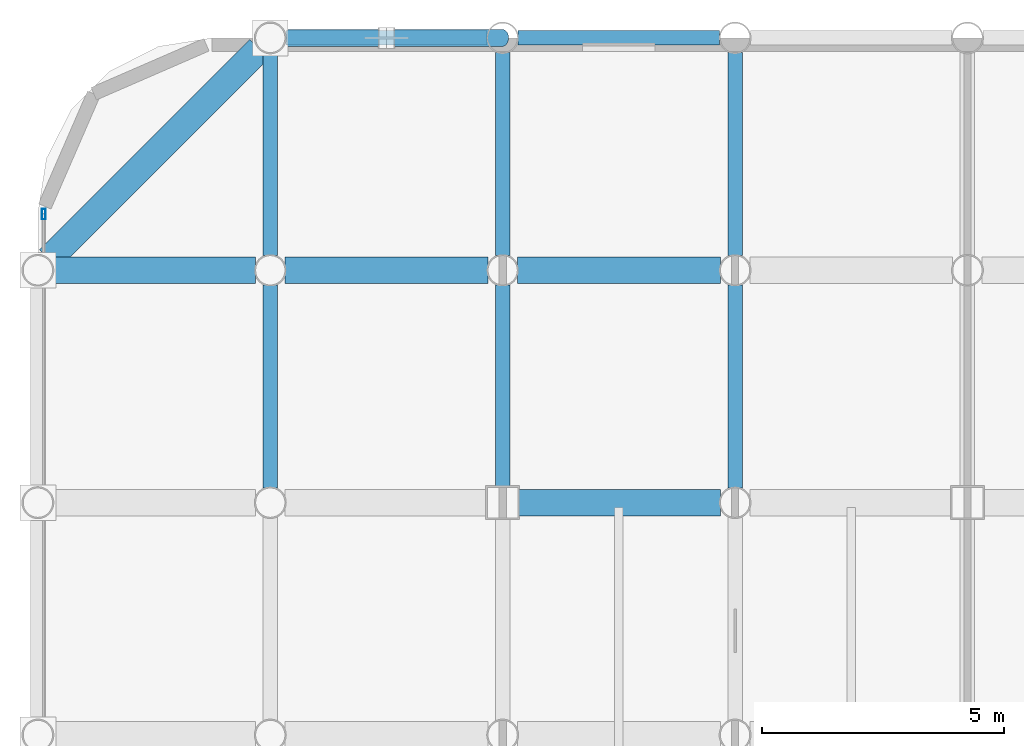
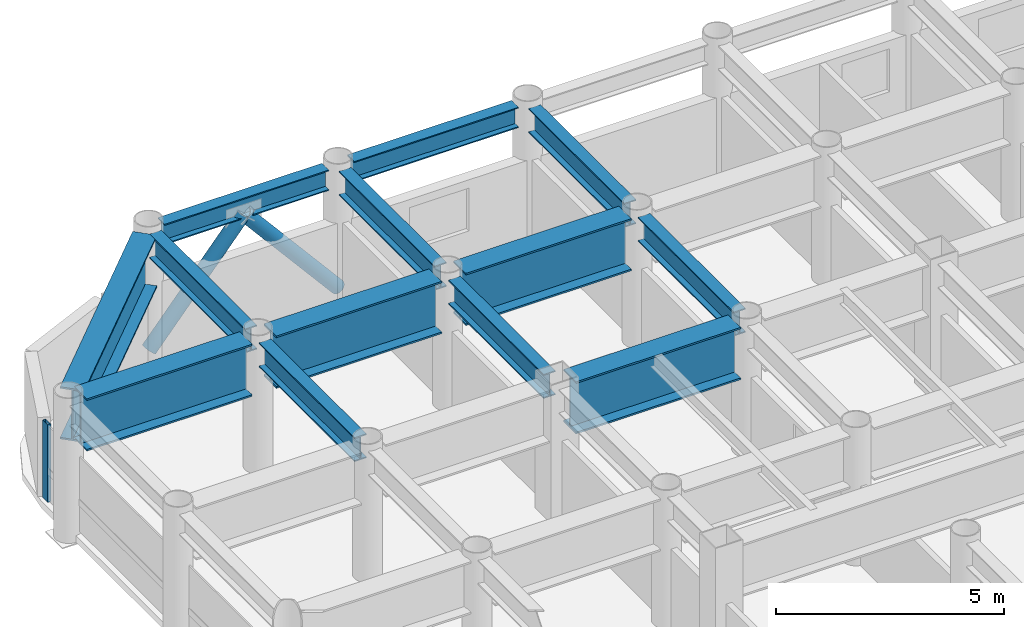
# One storey, part 10 of 23: 13 beams, 3 members, 1 element without a shape of its own.
"""IFC4 building model written with IfcOpenShell, lengths in metres."""

from ifc_helpers import new_model, si_unit, direction, frame, origin, origin_2d, place, context, subcontext, project, spatial, hollow_rectangle, hollow_circle, i_section, extrude, material, layer, layer_set, material_profile, profile_set, type_object, element, aggregate, save


model = new_model("IFC4")

# Units and contexts
model_context = context("Model", 3, precision=1e-05, world=origin(), true_north=direction((0.0, 1.0)))
body_context = subcontext(model_context, "Body", "Model", "MODEL_VIEW")
ifc_project = project(units=[si_unit("LENGTHUNIT", "METRE"), si_unit("AREAUNIT", "SQUARE_METRE"), si_unit("VOLUMEUNIT", "CUBIC_METRE"), si_unit("PLANEANGLEUNIT", "RADIAN"), si_unit("MASSUNIT", "GRAM", prefix="KILO")], contexts=[model_context])

# Site, building, storey
site_placement = place(None, origin())
site = spatial("IfcSite", under=ifc_project, at=site_placement, CompositionType="ELEMENT")
building_placement = place(site_placement, origin())
building = spatial("IfcBuilding", under=site, at=building_placement, Name="Kallvorn Hotel Tower", CompositionType="ELEMENT")
storey_placement = place(building_placement, frame((0.0, 0.0, 124.800048828125)))
storey = spatial("IfcBuildingStorey", under=building, at=storey_placement, Name="L30", CompositionType="ELEMENT", Elevation=124.800048828125)

# Beams
ifc_material_1 = material(Name="Structural steel S355JR", Category="steel")
ifc_material_profile_1 = material_profile(ifc_material_1, i_section(OverallWidth=0.300048828125, OverallDepth=0.550048828125, WebThickness=0.014892578125, FlangeThickness=0.029052734375, at=origin_2d()), Name="HE 550 B")
ifc_profile_set_1 = profile_set([ifc_material_profile_1], Name="Structural steel S355JR")
beam_type_1 = type_object("IfcBeamType", Name="BM_HE550B", PredefinedType="SPANDREL", material=ifc_profile_set_1)
for number, where, z_axis, x_axis, name in (
    (1, (-28.47998046875, 24.0, 3.244873046875), (1.0, 0.0, 0.0), (0.0, 1.0, 0.0), "L31 Perimeter Spandrel 163"),
    (2, (-23.679931640625, 24.0, 3.244873046875), (1.0, 0.0, 0.0), (0.0, 1.0, 0.0), "L31 Perimeter Spandrel 164"),
):
    element("IfcBeam", number, at=place(storey_placement, frame(where, z_axis=z_axis, x_axis=x_axis)), inside=storey, type_object=beam_type_1, Name=name, PredefinedType="SPANDREL", context=body_context, shape_type="SweptSolid", body=[
        extrude(i_section(OverallWidth=0.300048828125, OverallDepth=0.550048828125, WebThickness=0.014892578125, FlangeThickness=0.029052734375, at=origin_2d()), origin(), (0.0, 0.0, 1.0), 4.159912109375),
    ])
ifc_material_2 = material(Name="Structural steel S355JR", Category="steel")
ifc_material_profile_2 = material_profile(ifc_material_2, i_section(OverallWidth=0.300048828125, OverallDepth=0.64990234375, WebThickness=0.01611328125, FlangeThickness=0.031005859375, at=origin_2d()), Name="HE 650 B")
ifc_profile_set_2 = profile_set([ifc_material_profile_2], Name="Structural steel S355JR")
beam_type_2 = type_object("IfcBeamType", Name="BM_HE650B", PredefinedType="BEAM", material=ifc_profile_set_2)
beam_1_placement = place(storey_placement, frame((-28.800048828125, 14.705078125, 3.195068359375), z_axis=(0.0, 1.0, 0.0), x_axis=(-1.0, 0.0, 0.0)))
element("IfcBeam", 3, at=beam_1_placement, inside=storey, type_object=beam_type_2, Name="L31 Primary Y-Girder 80", PredefinedType="BEAM", context=body_context, shape_type="SweptSolid", body=[
    extrude(i_section(OverallWidth=0.300048828125, OverallDepth=0.64990234375, WebThickness=0.01611328125, FlangeThickness=0.031005859375, at=origin_2d()), origin(), (0.0, 0.0, 1.0), 4.18994140625),
])
beam_2_placement = place(storey_placement, frame((-28.800048828125, 19.5048828125, 3.195068359375), z_axis=(0.0, 1.0, 0.0), x_axis=(-1.0, 0.0, 0.0)))
element("IfcBeam", 4, at=beam_2_placement, inside=storey, type_object=beam_type_2, Name="L31 Primary Y-Girder 81", PredefinedType="BEAM", context=body_context, shape_type="SweptSolid", body=[
    extrude(i_section(OverallWidth=0.300048828125, OverallDepth=0.64990234375, WebThickness=0.01611328125, FlangeThickness=0.031005859375, at=origin_2d()), origin(), (0.0, 0.0, 1.0), 4.190185546875),
])
beam_3_placement = place(storey_placement, frame((-24.0, 14.72509765625, 3.195068359375), z_axis=(0.0, 1.0, 0.0), x_axis=(-1.0, 0.0, 0.0)))
element("IfcBeam", 5, at=beam_3_placement, inside=storey, type_object=beam_type_2, Name="L31 Primary Y-Girder 87", PredefinedType="BEAM", context=body_context, shape_type="SweptSolid", body=[
    extrude(i_section(OverallWidth=0.300048828125, OverallDepth=0.64990234375, WebThickness=0.01611328125, FlangeThickness=0.031005859375, at=origin_2d()), origin(), (0.0, 0.0, 1.0), 4.169921875),
])
beam_4_placement = place(storey_placement, frame((-24.0, 19.5048828125, 3.195068359375), z_axis=(0.0, 1.0, 0.0), x_axis=(-1.0, 0.0, 0.0)))
element("IfcBeam", 6, at=beam_4_placement, inside=storey, type_object=beam_type_2, Name="L31 Primary Y-Girder 88", PredefinedType="BEAM", context=body_context, shape_type="SweptSolid", body=[
    extrude(i_section(OverallWidth=0.300048828125, OverallDepth=0.64990234375, WebThickness=0.01611328125, FlangeThickness=0.031005859375, at=origin_2d()), origin(), (0.0, 0.0, 1.0), 4.190185546875),
])
beam_5_placement = place(storey_placement, frame((-19.199951171875, 14.705078125, 3.195068359375), z_axis=(0.0, 1.0, 0.0), x_axis=(-1.0, 0.0, 0.0)))
element("IfcBeam", 7, at=beam_5_placement, inside=storey, type_object=beam_type_2, Name="L31 Primary Y-Girder 96", PredefinedType="BEAM", context=body_context, shape_type="SweptSolid", body=[
    extrude(i_section(OverallWidth=0.300048828125, OverallDepth=0.64990234375, WebThickness=0.01611328125, FlangeThickness=0.031005859375, at=origin_2d()), origin(), (0.0, 0.0, 1.0), 4.18994140625),
])
beam_6_placement = place(storey_placement, frame((-19.199951171875, 19.5048828125, 3.195068359375), z_axis=(0.0, 1.0, 0.0), x_axis=(-1.0, 0.0, 0.0)))
element("IfcBeam", 8, at=beam_6_placement, inside=storey, type_object=beam_type_2, Name="L31 Primary Y-Girder 97", PredefinedType="BEAM", context=body_context, shape_type="SweptSolid", body=[
    extrude(i_section(OverallWidth=0.300048828125, OverallDepth=0.64990234375, WebThickness=0.01611328125, FlangeThickness=0.031005859375, at=origin_2d()), origin(), (0.0, 0.0, 1.0), 4.190185546875),
])
ifc_material_3 = material(Name="Structural steel S355JR", Category="steel")
ifc_material_profile_3 = material_profile(ifc_material_3, i_section(OverallWidth=0.550048828125, OverallDepth=1.39990234375, WebThickness=0.02490234375, FlangeThickness=0.044921875, at=origin_2d()), Name="PG 1400x550x25x45")
ifc_profile_set_3 = profile_set([ifc_material_profile_3], Name="Structural steel S355JR")
beam_type_3 = type_object("IfcBeamType", Name="BM_PG_1400", PredefinedType="BEAM", material=ifc_profile_set_3)
beam_7_placement = place(storey_placement, frame((-23.675048828125, 14.39990234375, 2.820068359375), z_axis=(1.0, 0.0, 0.0), x_axis=(0.0, 1.0, 0.0)))
element("IfcBeam", 9, at=beam_7_placement, inside=storey, type_object=beam_type_3, Name="L31 Primary X-Girder 52", PredefinedType="BEAM", context=body_context, shape_type="SweptSolid", body=[
    extrude(i_section(OverallWidth=0.550048828125, OverallDepth=1.39990234375, WebThickness=0.02490234375, FlangeThickness=0.044921875, at=origin_2d()), origin(), (0.0, 0.0, 1.0), 4.170166015625),
])
beam_8_placement = place(storey_placement, frame((-33.294921875, 19.199951171875, 2.820068359375), z_axis=(1.0, 0.0, 0.0), x_axis=(0.0, 1.0, 0.0)))
element("IfcBeam", 10, at=beam_8_placement, inside=storey, type_object=beam_type_3, Name="L31 Primary X-Girder 60", PredefinedType="BEAM", context=body_context, shape_type="SweptSolid", body=[
    extrude(i_section(OverallWidth=0.550048828125, OverallDepth=1.39990234375, WebThickness=0.02490234375, FlangeThickness=0.044921875, at=origin_2d()), origin(), (0.0, 0.0, 1.0), 4.18994140625),
])
for number, where, z_axis, x_axis, name in (
    (11, (-28.4951171875, 19.199951171875, 2.820068359375), (1.0, 0.0, 0.0), (0.0, 1.0, 0.0), "L31 Primary X-Girder 61"),
    (12, (-23.695068359375, 19.199951171875, 2.820068359375), (1.0, 0.0, 0.0), (0.0, 1.0, 0.0), "L31 Primary X-Girder 62"),
):
    element("IfcBeam", number, at=place(storey_placement, frame(where, z_axis=z_axis, x_axis=x_axis)), inside=storey, type_object=beam_type_3, Name=name, PredefinedType="BEAM", context=body_context, shape_type="SweptSolid", body=[
        extrude(i_section(OverallWidth=0.550048828125, OverallDepth=1.39990234375, WebThickness=0.02490234375, FlangeThickness=0.044921875, at=origin_2d()), origin(), (0.0, 0.0, 1.0), 4.190185546875),
    ])
beam_9_placement = place(storey_placement, frame((-33.373779296875, 19.42626953125, 2.820068359375), z_axis=(0.707106781187, 0.707106781187, 0.0), x_axis=(-0.707106781187, 0.707106781187, 0.0)))
element("IfcBeam", 13, at=beam_9_placement, inside=storey, type_object=beam_type_3, Name="L31 Rounded Corner Tie Beam 190", PredefinedType="BEAM", context=body_context, shape_type="SweptSolid", body=[
    extrude(i_section(OverallWidth=0.550048828125, OverallDepth=1.39990234375, WebThickness=0.02490234375, FlangeThickness=0.044921875, at=origin_2d()), origin(), (0.0, 0.0, 1.0), 6.148193359375),
])

# Curtain wall, member
ifc_material_4 = material(Name="Thermally broken black-anodised aluminium AA 6063-T6", Category="aluminium")
ifc_layer = layer(ifc_material_4, 0.2099609375)
ifc_layer_set = layer_set([ifc_layer], Name="CW_SYS_4_HOTEL_MID")
curtain_wall_type = type_object("IfcCurtainWallType", Name="CW_SYS_4_HOTEL_MID", PredefinedType="USERDEFINED", material=ifc_layer_set)
curtain_wall_placement = place(storey_placement, origin())
curtain_wall = element("IfcCurtainWall", 14, at=curtain_wall_placement, inside=storey, type_object=curtain_wall_type, Name="L30 Dark-Glass Curtain Wall CW-L30-WN", ObjectType="UNITISED CURTAIN WALL", PredefinedType="USERDEFINED")
ifc_material_5 = material(Name="Thermally broken black-anodised aluminium AA 6063-T6", Category="aluminium")
ifc_material_profile_4 = material_profile(ifc_material_5, hollow_rectangle(XDim=0.080078125, YDim=0.219970703125, WallThickness=0.0048828125, at=origin_2d()), Name="MUL 220x80")
ifc_profile_set_4 = profile_set([ifc_material_profile_4], Name="Thermally broken black-anodised aluminium AA 6063-T6")
member_type_1 = type_object("IfcMemberType", Name="CW_MULLION_220x80", PredefinedType="MULLION", material=ifc_profile_set_4)
member_placement = place(storey_placement, frame((-33.47998046875, 20.360107421875, 0.02001953125), z_axis=(0.0, 0.0, 1.0), x_axis=(1.0, 0.0, 0.0)))
member = element("IfcMember", 15, at=member_placement, type_object=member_type_1, Name="CW-L30-WN Mullion 01", PredefinedType="MULLION", context=body_context, shape_type="SweptSolid", body=[
    extrude(hollow_rectangle(XDim=0.080078125, YDim=0.219970703125, WallThickness=0.0048828125, at=origin_2d()), origin(), (0.0, 0.0, 1.0), 2.079833984375),
])
aggregate(curtain_wall, [member])

# Members
ifc_material_6 = material(Name="Structural steel S355J2H", Category="steel")
ifc_material_profile_5 = material_profile(ifc_material_6, hollow_circle(Radius=0.177734375, WallThickness=0.01416015625, at=origin_2d()), Name="CHS 355.6x14.2")
ifc_profile_set_5 = profile_set([ifc_material_profile_5], Name="Structural steel S355J2H")
member_type_2 = type_object("IfcMemberType", Name="MBR_EXO_CHS355", PredefinedType="BRACE", material=ifc_profile_set_5)
for number, where, z_axis, x_axis, name in (
    (16, (-28.787109375, 24.0, 0.1953125), (0.646833296797, 0.0, 0.762631422218), (0.0, 1.0, 0.0), "L30 Exoskeleton K-Brace N1A"),
    (17, (-24.012939453125, 24.0, 0.1953125), (-0.646833296797, 0.0, 0.762631422218), (0.0, -1.0, 0.0), "L30 Exoskeleton K-Brace N1B"),
):
    element("IfcMember", number, at=place(storey_placement, frame(where, z_axis=z_axis, x_axis=x_axis)), inside=storey, type_object=member_type_2, Name=name, PredefinedType="BRACE", context=body_context, shape_type="SweptSolid", body=[
        extrude(hollow_circle(Radius=0.177734375, WallThickness=0.01416015625, at=origin_2d()), origin(), (0.0, 0.0, 1.0), 3.670654296875),
    ])

save(model, "model.ifc")
